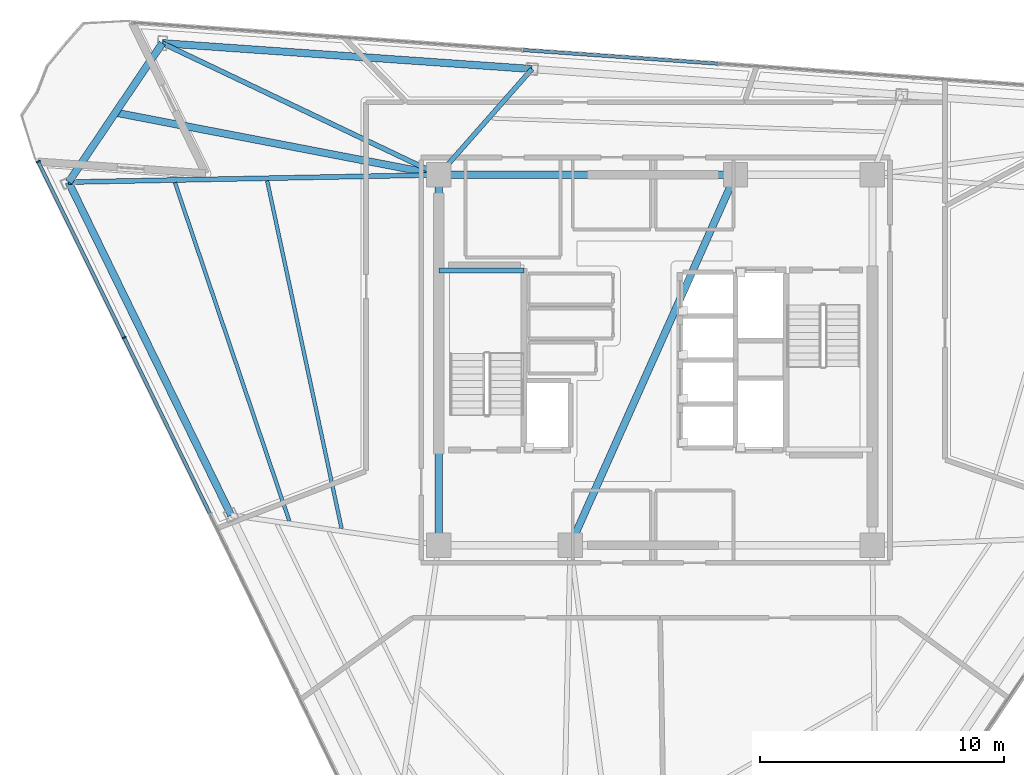
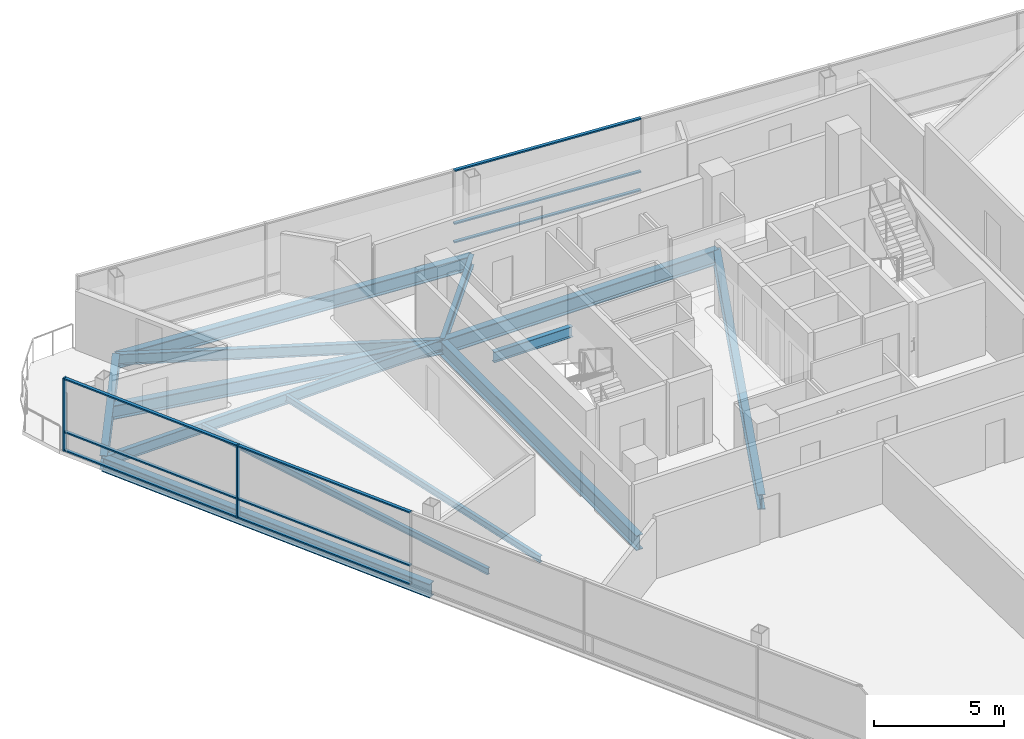
# One storey, part 5 of 14: 13 beams, 11 members, 2 elements without a shape of their own.
"""IFC4 building model written with IfcOpenShell, lengths in metres."""

from ifc_helpers import new_model, si_unit, direction, frame, origin, origin_2d, place, context, subcontext, project, spatial, rectangle, i_section, extrude, material, layer, layer_set, material_profile, profile_set, type_object, element, aggregate, save


model = new_model("IFC4")

# Units and contexts
model_context = context("Model", 3, precision=1e-05, world=origin(), true_north=direction((0.0, 1.0)))
body_context = subcontext(model_context, "Body", "Model", "MODEL_VIEW")
ifc_project = project(units=[si_unit("LENGTHUNIT", "METRE"), si_unit("AREAUNIT", "SQUARE_METRE"), si_unit("VOLUMEUNIT", "CUBIC_METRE"), si_unit("PLANEANGLEUNIT", "RADIAN"), si_unit("MASSUNIT", "GRAM", prefix="KILO")], contexts=[model_context])

# Site, building, storey
site_placement = place(None, origin())
site = spatial("IfcSite", under=ifc_project, at=site_placement, CompositionType="ELEMENT")
building_placement = place(site_placement, origin())
building = spatial("IfcBuilding", under=site, at=building_placement, Name="Tharavind Bronze Gate", CompositionType="ELEMENT")
storey_placement = place(building_placement, frame((0.0, 0.0, 241.449951171875)))
storey = spatial("IfcBuildingStorey", under=building, at=storey_placement, Name="L62", CompositionType="ELEMENT", Elevation=241.449951171875)

# Curtain wall, members
ifc_material_1 = material(Name="Anodised Bronze Aluminium", Category="aluminium")
ifc_layer = layer(ifc_material_1, 0.219970703125)
ifc_layer_set = layer_set([ifc_layer], Name="Anodised Bronze Aluminium")
curtain_wall_type = type_object("IfcCurtainWallType", Name="UNITISED CURTAIN WALL UPPER OFFICE", PredefinedType="USERDEFINED", material=ifc_layer_set)
curtain_wall_1_placement = place(storey_placement, origin())
curtain_wall_1 = element("IfcCurtainWall", 1, at=curtain_wall_1_placement, inside=storey, type_object=curtain_wall_type, Name="L62 unitised curtain wall upper office CW-L62-S1", ObjectType="UNITISED CURTAIN WALL", PredefinedType="USERDEFINED")
member_type_1 = type_object("IfcMemberType", Name="CURTAIN WALL BRONZE MULLION 65X180", PredefinedType="MULLION", material=ifc_material_1)
member_1_placement = place(storey_placement, frame((-25.337158203125, 8.140625, 0.0), z_axis=(0.0, 0.0, 1.0), x_axis=(0.438371146789, -0.898794046299, 0.0)))
member_1 = element("IfcMember", 2, at=member_1_placement, type_object=member_type_1, Name="CW-L62-S1 mullion 1", PredefinedType="MULLION", context=body_context, shape_type="SweptSolid", body=[
    extrude(rectangle(XDim=0.06494140625, YDim=0.179931640625, at=origin_2d()), origin(), (0.0, 0.0, 1.0), 3.419921875),
])
member_2_placement = place(storey_placement, frame((-21.8134765625, 0.916259765625, 0.0), z_axis=(0.0, 0.0, 1.0), x_axis=(0.438371146789, -0.898794046299, 0.0)))
member_2 = element("IfcMember", 3, at=member_2_placement, type_object=member_type_1, Name="CW-L62-S1 mullion 2", PredefinedType="MULLION", context=body_context, shape_type="SweptSolid", body=[
    extrude(rectangle(XDim=0.06494140625, YDim=0.179931640625, at=origin_2d()), origin(), (0.0, 0.0, 1.0), 3.419921875),
])
member_type_2 = type_object("IfcMemberType", Name="CURTAIN WALL BRONZE TRANSOM 65X140", PredefinedType="USERDEFINED", material=ifc_material_1)
member_3_placement = place(storey_placement, frame((-23.5751953125, 4.5283203125, 0.0), z_axis=(0.0, 0.0, 1.0), x_axis=(0.438371146789, -0.898794046299, 0.0)))
member_3 = element("IfcMember", 4, at=member_3_placement, type_object=member_type_2, Name="CW-L62-S1 transom TB1", ObjectType="TRANSOM", PredefinedType="USERDEFINED", context=body_context, shape_type="SweptSolid", body=[
    extrude(rectangle(XDim=7.985107421875, YDim=0.139892578125, at=origin_2d()), origin(), (0.0, 0.0, 1.0), 0.06494140625),
])
member_4_placement = place(storey_placement, frame((-23.5751953125, 4.5283203125, 0.86767578125), z_axis=(0.0, 0.0, 1.0), x_axis=(0.438371146789, -0.898794046299, 0.0)))
member_4 = element("IfcMember", 5, at=member_4_placement, type_object=member_type_2, Name="CW-L62-S1 transom TS1", ObjectType="TRANSOM", PredefinedType="USERDEFINED", context=body_context, shape_type="SweptSolid", body=[
    extrude(rectangle(XDim=7.985107421875, YDim=0.139892578125, at=origin_2d()), origin(), (0.0, 0.0, 1.0), 0.06494140625),
])
member_5_placement = place(storey_placement, frame((-23.5751953125, 4.5283203125, 3.35498046875), z_axis=(0.0, 0.0, 1.0), x_axis=(0.438371146789, -0.898794046299, 0.0)))
member_5 = element("IfcMember", 6, at=member_5_placement, type_object=member_type_2, Name="CW-L62-S1 transom TT1", ObjectType="TRANSOM", PredefinedType="USERDEFINED", context=body_context, shape_type="SweptSolid", body=[
    extrude(rectangle(XDim=7.985107421875, YDim=0.139892578125, at=origin_2d()), origin(), (0.0, 0.0, 1.0), 0.06494140625),
])
member_6_placement = place(storey_placement, frame((-20.051513671875, -2.696044921875, 0.0), z_axis=(0.0, 0.0, 1.0), x_axis=(0.438371146789, -0.898794046299, 0.0)))
member_6 = element("IfcMember", 7, at=member_6_placement, type_object=member_type_2, Name="CW-L62-S1 transom TB2", ObjectType="TRANSOM", PredefinedType="USERDEFINED", context=body_context, shape_type="SweptSolid", body=[
    extrude(rectangle(XDim=7.985107421875, YDim=0.139892578125, at=origin_2d()), origin(), (0.0, 0.0, 1.0), 0.06494140625),
])
member_7_placement = place(storey_placement, frame((-20.051513671875, -2.696044921875, 0.86767578125), z_axis=(0.0, 0.0, 1.0), x_axis=(0.438371146789, -0.898794046299, 0.0)))
member_7 = element("IfcMember", 8, at=member_7_placement, type_object=member_type_2, Name="CW-L62-S1 transom TS2", ObjectType="TRANSOM", PredefinedType="USERDEFINED", context=body_context, shape_type="SweptSolid", body=[
    extrude(rectangle(XDim=7.985107421875, YDim=0.139892578125, at=origin_2d()), origin(), (0.0, 0.0, 1.0), 0.06494140625),
])
member_8_placement = place(storey_placement, frame((-20.051513671875, -2.696044921875, 3.35498046875), z_axis=(0.0, 0.0, 1.0), x_axis=(0.438371146789, -0.898794046299, 0.0)))
member_8 = element("IfcMember", 9, at=member_8_placement, type_object=member_type_2, Name="CW-L62-S1 transom TT2", ObjectType="TRANSOM", PredefinedType="USERDEFINED", context=body_context, shape_type="SweptSolid", body=[
    extrude(rectangle(XDim=7.985107421875, YDim=0.139892578125, at=origin_2d()), origin(), (0.0, 0.0, 1.0), 0.06494140625),
])
aggregate(curtain_wall_1, [member_1, member_2, member_3, member_4, member_5, member_6, member_7, member_8])

curtain_wall_2_placement = place(storey_placement, origin())
curtain_wall_2 = element("IfcCurtainWall", 10, at=curtain_wall_2_placement, inside=storey, type_object=curtain_wall_type, Name="L62 unitised curtain wall upper office CW-L62-S3", ObjectType="UNITISED CURTAIN WALL", PredefinedType="USERDEFINED")
member_9_placement = place(storey_placement, frame((-1.44384765625, 12.442626953125, 0.0), z_axis=(0.0, 0.0, 1.0), x_axis=(-0.99756392851, 0.069758214822, 0.0)))
member_9 = element("IfcMember", 11, at=member_9_placement, type_object=member_type_2, Name="CW-L62-S3 transom TB4", ObjectType="TRANSOM", PredefinedType="USERDEFINED", context=body_context, shape_type="SweptSolid", body=[
    extrude(rectangle(XDim=7.985107421875, YDim=0.139892578125, at=origin_2d()), origin(), (0.0, 0.0, 1.0), 0.06494140625),
])
member_10_placement = place(storey_placement, frame((-1.44384765625, 12.442626953125, 0.86767578125), z_axis=(0.0, 0.0, 1.0), x_axis=(-0.99756392851, 0.069758214822, 0.0)))
member_10 = element("IfcMember", 12, at=member_10_placement, type_object=member_type_2, Name="CW-L62-S3 transom TS4", ObjectType="TRANSOM", PredefinedType="USERDEFINED", context=body_context, shape_type="SweptSolid", body=[
    extrude(rectangle(XDim=7.985107421875, YDim=0.139892578125, at=origin_2d()), origin(), (0.0, 0.0, 1.0), 0.06494140625),
])
member_11_placement = place(storey_placement, frame((-1.44384765625, 12.442626953125, 3.35498046875), z_axis=(0.0, 0.0, 1.0), x_axis=(-0.99756392851, 0.069758214822, 0.0)))
member_11 = element("IfcMember", 13, at=member_11_placement, type_object=member_type_2, Name="CW-L62-S3 transom TT4", ObjectType="TRANSOM", PredefinedType="USERDEFINED", context=body_context, shape_type="SweptSolid", body=[
    extrude(rectangle(XDim=7.985107421875, YDim=0.139892578125, at=origin_2d()), origin(), (0.0, 0.0, 1.0), 0.06494140625),
])
aggregate(curtain_wall_2, [member_9, member_10, member_11])

# Beams
ifc_material_2 = material(Name="Steel S355", Category="steel")
ifc_material_profile_1 = material_profile(ifc_material_2, i_section(OverallWidth=0.300048828125, OverallDepth=0.64990234375, WebThickness=0.01611328125, FlangeThickness=0.031005859375, at=origin_2d()), Name="HE650B")
ifc_profile_set_1 = profile_set([ifc_material_profile_1], Name="Steel S355")
beam_type_1 = type_object("IfcBeamType", Name="PRIMARY GIRDER HE650B", PredefinedType="USERDEFINED", material=ifc_profile_set_1)
for number, where, z_axis, x_axis, name in (
    (14, (-24.093505859375, 7.302001953125, -0.5048828125), (0.438370186885, -0.898794514475, 0.0), (0.898794514475, 0.438370186885, 0.0), "L62 primary girder he650b BM-L62-PRG01"),
    (15, (-5.0732421875, 11.944580078125, -0.5048828125), (-0.997563917828, 0.069758367582, 0.0), (-0.069758367582, -0.997563917828, 0.0), "L62 primary girder he650b BM-L62-PRG11"),
):
    element("IfcBeam", number, at=place(storey_placement, frame(where, z_axis=z_axis, x_axis=x_axis)), inside=storey, type_object=beam_type_1, Name=name, ObjectType="GIRDER", PredefinedType="USERDEFINED", context=body_context, shape_type="SweptSolid", body=[
        extrude(i_section(OverallWidth=0.300048828125, OverallDepth=0.64990234375, WebThickness=0.01611328125, FlangeThickness=0.031005859375, at=origin_2d()), origin(), (0.0, 0.0, 1.0), 15.210205078125),
    ])
beam_1_placement = place(storey_placement, frame((-20.246337890625, 13.005615234375, -0.5048828125), z_axis=(-0.559196123664, -0.829035400498, 0.0), x_axis=(0.829035400498, -0.559196123664, 0.0)))
element("IfcBeam", 16, at=beam_1_placement, inside=storey, type_object=beam_type_1, Name="L62 primary girder he650b BM-L62-PRG12", ObjectType="GIRDER", PredefinedType="USERDEFINED", context=body_context, shape_type="SweptSolid", body=[
    extrude(i_section(OverallWidth=0.300048828125, OverallDepth=0.64990234375, WebThickness=0.01611328125, FlangeThickness=0.031005859375, at=origin_2d()), origin(), (0.0, 0.0, 1.0), 6.8798828125),
])
beam_2_placement = place(storey_placement, frame((-8.89990234375, 7.60009765625, -0.5048828125), z_axis=(-0.981981954997, 0.18897470746, 0.0), x_axis=(-0.18897470746, -0.981981954997, 0.0)))
element("IfcBeam", 17, at=beam_2_placement, inside=storey, type_object=beam_type_1, Name="L62 primary girder he650b BM-L62-BLCSB", ObjectType="GIRDER", PredefinedType="USERDEFINED", context=body_context, shape_type="SweptSolid", body=[
    extrude(i_section(OverallWidth=0.300048828125, OverallDepth=0.64990234375, WebThickness=0.01611328125, FlangeThickness=0.031005859375, at=origin_2d()), origin(), (0.0, 0.0, 1.0), 13.513427734375),
])
ifc_material_profile_2 = material_profile(ifc_material_2, i_section(OverallWidth=0.199951171875, OverallDepth=0.5, WebThickness=0.01025390625, FlangeThickness=0.01611328125, at=origin_2d()), Name="IPE500")
ifc_profile_set_2 = profile_set([ifc_material_profile_2], Name="Steel S355")
beam_type_2 = type_object("IfcBeamType", Name="PRIMARY GIRDER IPE500", PredefinedType="USERDEFINED", material=ifc_profile_set_2)
beam_3_placement = place(storey_placement, frame((-8.89990234375, 3.679931640625, 1.35009765625), z_axis=(1.0, 0.0, 0.0), x_axis=(0.0, 1.0, 0.0)))
element("IfcBeam", 18, at=beam_3_placement, inside=storey, type_object=beam_type_2, Name="L62 primary girder ipe500 BM-LD-ST1-L62-1", ObjectType="GIRDER", PredefinedType="USERDEFINED", context=body_context, shape_type="SweptSolid", body=[
    extrude(i_section(OverallWidth=0.199951171875, OverallDepth=0.5, WebThickness=0.01025390625, FlangeThickness=0.01611328125, at=origin_2d()), origin(), (0.0, 0.0, 1.0), 3.5),
])
beam_4_placement = place(storey_placement, frame((-24.093505859375, 7.302001953125, -0.429931640625), z_axis=(0.999807586961, 0.019616040745, 0.0), x_axis=(-0.019616040745, 0.999807586961, 0.0)))
element("IfcBeam", 19, at=beam_4_placement, inside=storey, type_object=beam_type_2, Name="L62 primary girder ipe500 BM-L62-RAD01", ObjectType="GIRDER", PredefinedType="USERDEFINED", context=body_context, shape_type="SweptSolid", body=[
    extrude(i_section(OverallWidth=0.199951171875, OverallDepth=0.5, WebThickness=0.01025390625, FlangeThickness=0.01611328125, at=origin_2d()), origin(), (0.0, 0.0, 1.0), 15.196533203125),
])
beam_5_placement = place(storey_placement, frame((-5.0732421875, 11.944580078125, -0.429931640625), z_axis=(-0.660970052171, -0.750412280106, 0.0), x_axis=(0.750412280106, -0.660970052171, 0.0)))
element("IfcBeam", 20, at=beam_5_placement, inside=storey, type_object=beam_type_2, Name="L62 primary girder ipe500 BM-L62-RAD11", ObjectType="GIRDER", PredefinedType="USERDEFINED", context=body_context, shape_type="SweptSolid", body=[
    extrude(i_section(OverallWidth=0.199951171875, OverallDepth=0.5, WebThickness=0.01025390625, FlangeThickness=0.01611328125, at=origin_2d()), origin(), (0.0, 0.0, 1.0), 5.78955078125),
])
beam_6_placement = place(storey_placement, frame((-20.246337890625, 13.005615234375, -0.429931640625), z_axis=(0.902784743055, -0.430092673394, 0.0), x_axis=(0.430092673394, 0.902784743055, 0.0)))
element("IfcBeam", 21, at=beam_6_placement, inside=storey, type_object=beam_type_2, Name="L62 primary girder ipe500 BM-L62-RAD12", ObjectType="GIRDER", PredefinedType="USERDEFINED", context=body_context, shape_type="SweptSolid", body=[
    extrude(i_section(OverallWidth=0.199951171875, OverallDepth=0.5, WebThickness=0.01025390625, FlangeThickness=0.01611328125, at=origin_2d()), origin(), (0.0, 0.0, 1.0), 12.568359375),
])
ifc_material_profile_3 = material_profile(ifc_material_2, i_section(OverallWidth=0.300048828125, OverallDepth=0.699951171875, WebThickness=0.01708984375, FlangeThickness=0.031982421875, at=origin_2d()), Name="HE700B")
ifc_profile_set_3 = profile_set([ifc_material_profile_3], Name="Steel S355")
beam_type_3 = type_object("IfcBeamType", Name="RING GIRDER HE700B", PredefinedType="USERDEFINED", material=ifc_profile_set_3)
beam_7_placement = place(storey_placement, frame((3.280029296875, 7.60009765625, -0.530029296875), z_axis=(-1.0, 0.0, 0.0), x_axis=(0.0, -1.0, 0.0)))
element("IfcBeam", 22, at=beam_7_placement, inside=storey, type_object=beam_type_3, Name="L62 ring girder he700b BM-L62-CR5", ObjectType="GIRDER", PredefinedType="USERDEFINED", context=body_context, shape_type="SweptSolid", body=[
    extrude(i_section(OverallWidth=0.300048828125, OverallDepth=0.699951171875, WebThickness=0.01708984375, FlangeThickness=0.031982421875, at=origin_2d()), origin(), (0.0, 0.0, 1.0), 12.179931640625),
])
beam_8_placement = place(storey_placement, frame((-8.89990234375, 7.60009765625, -0.530029296875), z_axis=(0.0, -1.0, 0.0), x_axis=(1.0, 0.0, 0.0)))
element("IfcBeam", 23, at=beam_8_placement, inside=storey, type_object=beam_type_3, Name="L62 ring girder he700b BM-L62-CR6", ObjectType="GIRDER", PredefinedType="USERDEFINED", context=body_context, shape_type="SweptSolid", body=[
    extrude(i_section(OverallWidth=0.300048828125, OverallDepth=0.699951171875, WebThickness=0.01708984375, FlangeThickness=0.031982421875, at=origin_2d()), origin(), (0.0, 0.0, 1.0), 15.2001953125),
])
beam_9_placement = place(storey_placement, frame((-3.5, -7.60009765625, -0.530029296875), z_axis=(0.407361644566, 0.913266932795, 0.0), x_axis=(-0.913266932795, 0.407361644566, 0.0)))
element("IfcBeam", 24, at=beam_9_placement, inside=storey, type_object=beam_type_3, Name="L62 ring girder he700b BM-L62-CR7", ObjectType="GIRDER", PredefinedType="USERDEFINED", context=body_context, shape_type="SweptSolid", body=[
    extrude(i_section(OverallWidth=0.300048828125, OverallDepth=0.699951171875, WebThickness=0.01708984375, FlangeThickness=0.031982421875, at=origin_2d()), origin(), (0.0, 0.0, 1.0), 16.643798828125),
])
ifc_material_profile_4 = material_profile(ifc_material_2, i_section(OverallWidth=0.14990234375, OverallDepth=0.300048828125, WebThickness=0.007080078125, FlangeThickness=0.0107421875, at=origin_2d()), Name="IPE300")
ifc_profile_set_4 = profile_set([ifc_material_profile_4], Name="Steel S355")
beam_type_4 = type_object("IfcBeamType", Name="SECONDARY FLOOR JOIST IPE300", PredefinedType="JOIST", material=ifc_profile_set_4)
beam_10_placement = place(storey_placement, frame((-15.94287109375, 7.35791015625, -0.329833984375), z_axis=(0.209253867675, -0.977861349509, 0.0), x_axis=(0.977861349509, 0.209253867675, 0.0)))
element("IfcBeam", 25, at=beam_10_placement, inside=storey, type_object=beam_type_4, Name="L62 secondary floor joist ipe300 BM-L62-JSTA01", PredefinedType="JOIST", context=body_context, shape_type="SweptSolid", body=[
    extrude(i_section(OverallWidth=0.14990234375, OverallDepth=0.300048828125, WebThickness=0.007080078125, FlangeThickness=0.0107421875, at=origin_2d()), origin(), (0.0, 0.0, 1.0), 14.600341796875),
])
beam_11_placement = place(storey_placement, frame((-19.728515625, 7.28369140625, -0.329833984375), z_axis=(0.320165511118, -0.9473616234, 0.0), x_axis=(0.9473616234, 0.320165511118, 0.0)))
element("IfcBeam", 26, at=beam_11_placement, inside=storey, type_object=beam_type_4, Name="L62 secondary floor joist ipe300 BM-L62-JSTB01", PredefinedType="JOIST", context=body_context, shape_type="SweptSolid", body=[
    extrude(i_section(OverallWidth=0.14990234375, OverallDepth=0.300048828125, WebThickness=0.007080078125, FlangeThickness=0.0107421875, at=origin_2d()), origin(), (0.0, 0.0, 1.0), 14.665283203125),
])

save(model, "model.ifc")
